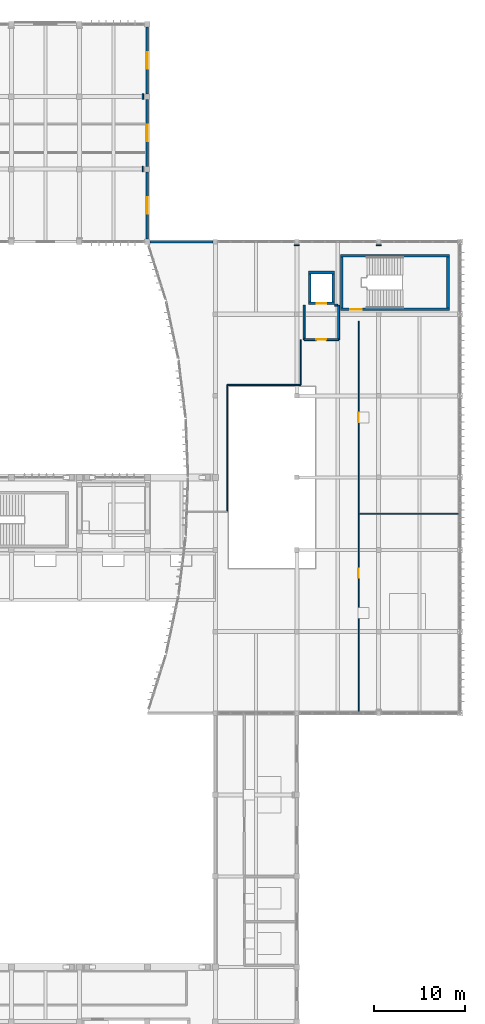
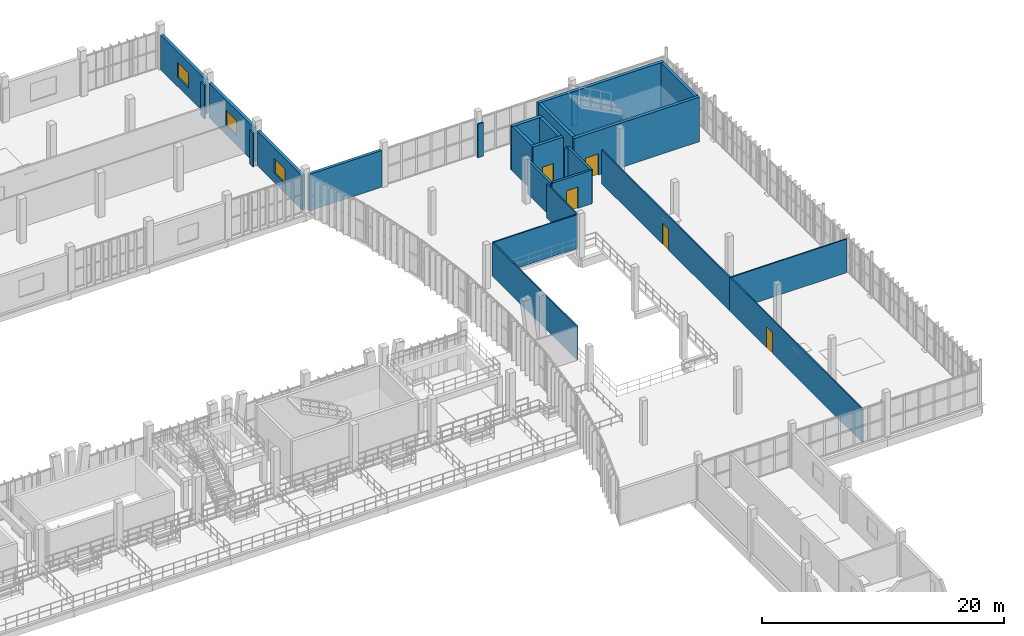
# One storey, part 59 of 81: 26 walls, 5 doors, 3 windows, 8 openings.
"""IFC4 building model written with IfcOpenShell, lengths in metres."""

from ifc_helpers import new_model, si_unit, direction, frame, frame_2d, origin, place, context, subcontext, project, spatial, rectangle, extrude, material, layer, layer_set, type_object, element, fill, save


model = new_model("IFC4")

# Units and contexts
model_context = context("Model", 3, precision=1e-05, world=origin(), true_north=direction((0.0, 1.0)))
body_context = subcontext(model_context, "Body", "Model", "MODEL_VIEW")
ifc_project = project(units=[si_unit("LENGTHUNIT", "METRE"), si_unit("AREAUNIT", "SQUARE_METRE"), si_unit("VOLUMEUNIT", "CUBIC_METRE"), si_unit("PLANEANGLEUNIT", "RADIAN"), si_unit("MASSUNIT", "GRAM", prefix="KILO")], contexts=[model_context])

# Site, building, storey
site_placement = place(None, origin())
site = spatial("IfcSite", under=ifc_project, at=site_placement, CompositionType="ELEMENT")
building_placement = place(site_placement, origin())
building = spatial("IfcBuilding", under=site, at=building_placement, Name="Vourika Railside Aquatics Centre", CompositionType="ELEMENT")
storey_placement = place(building_placement, frame((0.0, 0.0, 4.800048828125)))
storey = spatial("IfcBuildingStorey", under=building, at=storey_placement, Name="L01", CompositionType="ELEMENT", Elevation=4.800048828125)

# Wall, opening, door
ifc_material_1 = material(Name="Concrete C40/50", Category="concrete")
ifc_layer_1 = layer(ifc_material_1, 0.300048828125, Name="WL-CORE")
ifc_layer_set_1 = layer_set([ifc_layer_1], Name="Concrete C40/50")
wall_type_1 = type_object("IfcWallType", Name="WL-CORE", PredefinedType="SHEAR", material=ifc_layer_set_1)
wall_1_placement = place(storey_placement, frame((154.800048828125, 84.550048828125, 0.0), z_axis=(0.0, 0.0, 1.0), x_axis=(1.0, 0.0, 0.0)))
wall_1 = element("IfcWall", 1, at=wall_1_placement, inside=storey, type_object=wall_type_1, Name="Protected Exit Stair Core ST05 South Wall (L01)", PredefinedType="SHEAR", context=body_context, shape_type="SweptSolid", body=[
    extrude(rectangle(XDim=12.0, YDim=0.300048828125, at=frame_2d((6.0, 0.0))), origin(), (0.0, 0.0, 1.0), 4.5),
])
opening_1_placement = place(wall_1_placement, frame((1.10009765625, 0.0, 0.0)))
opening_1 = element("IfcOpeningElement", 2, at=opening_1_placement, cuts=wall_1, Name="Opening DF02", PredefinedType="OPENING", context=body_context, shape_type="SweptSolid", body=[
    extrude(rectangle(XDim=1.25, YDim=2.14990234375, at=frame_2d((0.625, 1.074951171875))), frame((0.0, 0.16015625, 0.0), z_axis=(0.0, -1.0, 0.0), x_axis=(1.0, 0.0, 0.0)), (0.0, 0.0, 1.0), 0.320068359375),
])
ifc_material_2 = material(Name="Fire-rated wide exit stair door")
door_type_1 = type_object("IfcDoorType", Name="DR-FD60-125", OperationType="NOTDEFINED", PredefinedType="DOOR", material=ifc_material_2)
door_1_placement = place(opening_1_placement, origin())
door_1 = element("IfcDoor", 3, at=door_1_placement, inside=storey, type_object=door_type_1, Name="Protected Exit Stair Core ST05 Enclosure Fire Door (L01)", OperationType="SINGLE_SWING_RIGHT", OverallHeight=2.14990234375, OverallWidth=1.25, PredefinedType="DOOR", context=body_context, shape_type="SweptSolid", body=[
    extrude(rectangle(XDim=1.25, YDim=2.14990234375, at=frame_2d((0.625, 1.074951171875))), frame((0.0, 0.02490234375, 0.0), z_axis=(0.0, -1.0, 0.0), x_axis=(1.0, 0.0, 0.0)), (0.0, 0.0, 1.0), 0.050048828125),
])
fill(opening_1, door_1)

# Walls
wall_2_placement = place(storey_placement, frame((166.800048828125, 90.449951171875, 0.0), z_axis=(0.0, 0.0, 1.0), x_axis=(-1.0, 0.0, 0.0)))
element("IfcWall", 4, at=wall_2_placement, inside=storey, type_object=wall_type_1, Name="Protected Exit Stair Core ST05 North Wall (L01)", PredefinedType="SHEAR", context=body_context, shape_type="SweptSolid", body=[
    extrude(rectangle(XDim=12.0, YDim=0.300048828125, at=frame_2d((6.0, 0.0))), origin(), (0.0, 0.0, 1.0), 4.5),
])
for number, where, z_axis, x_axis, name in (
    (5, (154.949951171875, 90.300048828125, 0.0), (0.0, 0.0, 1.0), (0.0, -1.0, 0.0), "Protected Exit Stair Core ST05 West Wall (L01)"),
    (6, (166.64990234375, 84.699951171875, 0.0), (0.0, 0.0, 1.0), (0.0, 1.0, 0.0), "Protected Exit Stair Core ST05 East Wall (L01)"),
):
    element("IfcWall", number, at=place(storey_placement, frame(where, z_axis=z_axis, x_axis=x_axis)), inside=storey, type_object=wall_type_1, Name=name, PredefinedType="SHEAR", context=body_context, shape_type="SweptSolid", body=[
        extrude(rectangle(XDim=5.60009765625, YDim=0.300048828125, at=frame_2d((2.800048828125, 0.0))), origin(), (0.0, 0.0, 1.0), 4.5),
    ])

# Wall, opening, door
wall_3_placement = place(storey_placement, frame((151.25, 85.199951171875, 0.0), z_axis=(0.0, 0.0, 1.0), x_axis=(1.0, 0.0, 0.0)))
wall_3 = element("IfcWall", 7, at=wall_3_placement, inside=storey, type_object=wall_type_1, Name="Lift LP01 Shaft South Wall (L01)", PredefinedType="SHEAR", context=body_context, shape_type="SweptSolid", body=[
    extrude(rectangle(XDim=2.89990234375, YDim=0.300048828125, at=frame_2d((1.449951171875, 0.0))), origin(), (0.0, 0.0, 1.0), 4.5),
])
opening_2_placement = place(wall_3_placement, frame((0.925048828125, 0.0, 0.0)))
opening_2 = element("IfcOpeningElement", 8, at=opening_2_placement, cuts=wall_3, Name="Opening LD02", PredefinedType="OPENING", context=body_context, shape_type="SweptSolid", body=[
    extrude(rectangle(XDim=1.050048828125, YDim=2.14990234375, at=frame_2d((0.52490234375, 1.074951171875))), frame((0.0, 0.16015625, 0.0), z_axis=(0.0, -1.0, 0.0), x_axis=(1.0, 0.0, 0.0)), (0.0, 0.0, 1.0), 0.320068359375),
])
ifc_material_3 = material(Name="Stainless passenger lift landing door")
door_type_2 = type_object("IfcDoorType", Name="DR-LIFT-LD2", OperationType="DOUBLE_DOOR_SLIDING", PredefinedType="DOOR", material=ifc_material_3)
door_2_placement = place(opening_2_placement, origin())
door_2 = element("IfcDoor", 9, at=door_2_placement, inside=storey, type_object=door_type_2, Name="Lift LP01 Sliding Landing Door (L01)", OperationType="DOUBLE_DOOR_SLIDING", OverallHeight=2.14990234375, OverallWidth=1.050048828125, PredefinedType="DOOR", context=body_context, shape_type="SweptSolid", body=[
    extrude(rectangle(XDim=1.050048828125, YDim=2.14990234375, at=frame_2d((0.52490234375, 1.074951171875))), frame((0.0, 0.02490234375, 0.0), z_axis=(0.0, -1.0, 0.0), x_axis=(1.0, 0.0, 0.0)), (0.0, 0.0, 1.0), 0.050048828125),
])
fill(opening_2, door_2)

# Walls
wall_4_placement = place(storey_placement, frame((154.14990234375, 88.60009765625, 0.0), z_axis=(0.0, 0.0, 1.0), x_axis=(-1.0, 0.0, 0.0)))
element("IfcWall", 10, at=wall_4_placement, inside=storey, type_object=wall_type_1, Name="Lift LP01 Shaft North Wall (L01)", PredefinedType="SHEAR", context=body_context, shape_type="SweptSolid", body=[
    extrude(rectangle(XDim=2.89990234375, YDim=0.300048828125, at=frame_2d((1.449951171875, 0.0))), origin(), (0.0, 0.0, 1.0), 4.5),
])
for number, where, z_axis, x_axis, name in (
    (11, (151.39990234375, 88.60009765625, 0.0), (0.0, 0.0, 1.0), (0.0, -1.0, 0.0), "Lift LP01 Shaft West Wall (L01)"),
    (12, (154.0, 85.199951171875, 0.0), (0.0, 0.0, 1.0), (0.0, 1.0, 0.0), "Lift LP01 Shaft East Wall (L01)"),
):
    element("IfcWall", number, at=place(storey_placement, frame(where, z_axis=z_axis, x_axis=x_axis)), inside=storey, type_object=wall_type_1, Name=name, PredefinedType="SHEAR", context=body_context, shape_type="SweptSolid", body=[
        extrude(rectangle(XDim=3.400146484375, YDim=0.300048828125, at=frame_2d((1.7001953125, 0.0))), origin(), (0.0, 0.0, 1.0), 4.5),
    ])
ifc_material_4 = material(Name="Precast concrete C40/50", Category="concrete")
ifc_layer_2 = layer(ifc_material_4, 0.27001953125, Name="WL-EXT-270")
ifc_layer_set_2 = layer_set([ifc_layer_2], Name="Precast concrete C40/50")
wall_type_2 = type_object("IfcWallType", Name="WL-EXT-270", PredefinedType="SOLIDWALL", material=ifc_layer_set_2)
wall_5_placement = place(storey_placement, frame((140.75, 92.0, 0.0), z_axis=(0.0, 0.0, 1.0), x_axis=(-1.0, 0.0, 0.0)))
element("IfcWall", 13, at=wall_5_placement, inside=storey, type_object=wall_type_2, Name="Foyer North Return Wall L01", PredefinedType="SOLIDWALL", context=body_context, shape_type="SweptSolid", body=[
    extrude(rectangle(XDim=6.949951171875, YDim=0.27001953125, at=frame_2d((3.47509765625, 0.0))), origin(), (0.0, 0.0, 1.0), 3.699951171875),
])

# Wall, opening, window
ifc_layer_3 = layer(ifc_material_4, 0.2900390625, Name="WL-EXT-290")
ifc_layer_set_3 = layer_set([ifc_layer_3], Name="Precast concrete C40/50")
wall_type_3 = type_object("IfcWallType", Name="WL-EXT-290", PredefinedType="SOLIDWALL", material=ifc_layer_set_3)
wall_6_placement = place(storey_placement, frame((133.5, 92.300048828125, 0.0), z_axis=(0.0, 0.0, 1.0), x_axis=(0.0, 1.0, 0.0)))
wall_6 = element("IfcWall", 14, at=wall_6_placement, inside=storey, type_object=wall_type_3, Name="Fitness Step-Back East Wall L01-1", PredefinedType="SOLIDWALL", context=body_context, shape_type="SweptSolid", body=[
    extrude(rectangle(XDim=7.39990234375, YDim=0.2900390625, at=frame_2d((3.699951171875, 0.0))), origin(), (0.0, 0.0, 1.0), 3.5),
])
opening_3_placement = place(wall_6_placement, frame((2.800048828125, 0.0, 0.949951171875)))
opening_3 = element("IfcOpeningElement", 15, at=opening_3_placement, cuts=wall_6, Name="Opening W08", PredefinedType="OPENING", context=body_context, shape_type="SweptSolid", body=[
    extrude(rectangle(XDim=1.800048828125, YDim=1.5, at=frame_2d((0.89990234375, 0.75))), frame((0.0, 0.155029296875, 0.0), z_axis=(0.0, -1.0, 0.0), x_axis=(1.0, 0.0, 0.0)), (0.0, 0.0, 1.0), 0.31005859375),
])
ifc_material_5 = material(Name="Laminated solar-control glass", Category="glass")
window_type = type_object("IfcWindowType", Name="WN-CLN-180x150", PartitioningType="SINGLE_PANEL", PredefinedType="WINDOW", material=ifc_material_5)
window_1_placement = place(opening_3_placement, origin())
window_1 = element("IfcWindow", 16, at=window_1_placement, inside=storey, type_object=window_type, Name="Fitness East Window L01-1", OverallHeight=1.5, OverallWidth=1.800048828125, PartitioningType="SINGLE_PANEL", PredefinedType="WINDOW", context=body_context, shape_type="SweptSolid", body=[
    extrude(rectangle(XDim=1.800048828125, YDim=1.5, at=frame_2d((0.89990234375, 0.75))), frame((0.0, 0.030029296875, 0.0), z_axis=(0.0, -1.0, 0.0), x_axis=(1.0, 0.0, 0.0)), (0.0, 0.0, 1.0), 0.06005859375),
])
fill(opening_3, window_1)

wall_7_placement = place(storey_placement, frame((133.5, 100.300048828125, 0.0), z_axis=(0.0, 0.0, 1.0), x_axis=(0.0, 1.0, 0.0)))
wall_7 = element("IfcWall", 17, at=wall_7_placement, inside=storey, type_object=wall_type_3, Name="Fitness Step-Back East Wall L01-2", PredefinedType="SOLIDWALL", context=body_context, shape_type="SweptSolid", body=[
    extrude(rectangle(XDim=7.39990234375, YDim=0.2900390625, at=frame_2d((3.699951171875, 0.0))), origin(), (0.0, 0.0, 1.0), 3.5),
])
opening_4_placement = place(wall_7_placement, frame((2.800048828125, 0.0, 0.949951171875)))
opening_4 = element("IfcOpeningElement", 18, at=opening_4_placement, cuts=wall_7, Name="Opening W08", PredefinedType="OPENING", context=body_context, shape_type="SweptSolid", body=[
    extrude(rectangle(XDim=1.800048828125, YDim=1.5, at=frame_2d((0.89990234375, 0.75))), frame((0.0, 0.155029296875, 0.0), z_axis=(0.0, -1.0, 0.0), x_axis=(1.0, 0.0, 0.0)), (0.0, 0.0, 1.0), 0.31005859375),
])
window_2_placement = place(opening_4_placement, origin())
window_2 = element("IfcWindow", 19, at=window_2_placement, inside=storey, type_object=window_type, Name="Fitness East Window L01-2", OverallHeight=1.5, OverallWidth=1.800048828125, PartitioningType="SINGLE_PANEL", PredefinedType="WINDOW", context=body_context, shape_type="SweptSolid", body=[
    extrude(rectangle(XDim=1.800048828125, YDim=1.5, at=frame_2d((0.89990234375, 0.75))), frame((0.0, 0.030029296875, 0.0), z_axis=(0.0, -1.0, 0.0), x_axis=(1.0, 0.0, 0.0)), (0.0, 0.0, 1.0), 0.06005859375),
])
fill(opening_4, window_2)

wall_8_placement = place(storey_placement, frame((133.5, 108.300048828125, 0.0), z_axis=(0.0, 0.0, 1.0), x_axis=(0.0, 1.0, 0.0)))
wall_8 = element("IfcWall", 20, at=wall_8_placement, inside=storey, type_object=wall_type_3, Name="Fitness Step-Back East Wall L01-3", PredefinedType="SOLIDWALL", context=body_context, shape_type="SweptSolid", body=[
    extrude(rectangle(XDim=7.39990234375, YDim=0.2900390625, at=frame_2d((3.699951171875, 0.0))), origin(), (0.0, 0.0, 1.0), 3.5),
])
opening_5_placement = place(wall_8_placement, frame((2.800048828125, 0.0, 0.949951171875)))
opening_5 = element("IfcOpeningElement", 21, at=opening_5_placement, cuts=wall_8, Name="Opening W08", PredefinedType="OPENING", context=body_context, shape_type="SweptSolid", body=[
    extrude(rectangle(XDim=1.800048828125, YDim=1.5, at=frame_2d((0.89990234375, 0.75))), frame((0.0, 0.155029296875, 0.0), z_axis=(0.0, -1.0, 0.0), x_axis=(1.0, 0.0, 0.0)), (0.0, 0.0, 1.0), 0.31005859375),
])
window_3_placement = place(opening_5_placement, origin())
window_3 = element("IfcWindow", 22, at=window_3_placement, inside=storey, type_object=window_type, Name="Fitness East Window L01-3", OverallHeight=1.5, OverallWidth=1.800048828125, PartitioningType="SINGLE_PANEL", PredefinedType="WINDOW", context=body_context, shape_type="SweptSolid", body=[
    extrude(rectangle(XDim=1.800048828125, YDim=1.5, at=frame_2d((0.89990234375, 0.75))), frame((0.0, 0.030029296875, 0.0), z_axis=(0.0, -1.0, 0.0), x_axis=(1.0, 0.0, 0.0)), (0.0, 0.0, 1.0), 0.06005859375),
])
fill(opening_5, window_3)

# Wall, opening, door
ifc_material_6 = material(Name="Concrete C35/45", Category="concrete")
ifc_layer_4 = layer(ifc_material_6, 0.219970703125, Name="WL-FIRE")
ifc_layer_set_4 = layer_set([ifc_layer_4], Name="Concrete C35/45")
wall_type_4 = type_object("IfcWallType", Name="WL-FIRE", PredefinedType="SOLIDWALL", material=ifc_layer_set_4)
wall_9_placement = place(storey_placement, frame((150.800048828125, 81.199951171875, 0.0), z_axis=(0.0, 0.0, 1.0), x_axis=(1.0, 0.0, 0.0)))
wall_9 = element("IfcWall", 23, at=wall_9_placement, inside=storey, type_object=wall_type_4, Name="Lift LP01 Lobby Corridor Fire Wall (L01)", PredefinedType="SOLIDWALL", context=body_context, shape_type="SweptSolid", body=[
    extrude(rectangle(XDim=3.800048828125, YDim=0.219970703125, at=frame_2d((1.89990234375, 0.0))), origin(), (0.0, 0.0, 1.0), 3.39990234375),
])
opening_6_placement = place(wall_9_placement, frame((1.35009765625, 0.0, 0.0)))
opening_6 = element("IfcOpeningElement", 24, at=opening_6_placement, cuts=wall_9, Name="Opening DF01", PredefinedType="OPENING", context=body_context, shape_type="SweptSolid", body=[
    extrude(rectangle(XDim=1.10009765625, YDim=2.14990234375, at=frame_2d((0.550048828125, 1.074951171875))), frame((0.0, 0.1201171875, 0.0), z_axis=(0.0, -1.0, 0.0), x_axis=(1.0, 0.0, 0.0)), (0.0, 0.0, 1.0), 0.239990234375),
])
ifc_material_7 = material(Name="Fire-rated steel and timber core door", Category="steel")
door_type_3 = type_object("IfcDoorType", Name="DR-FD60", OperationType="NOTDEFINED", PredefinedType="DOOR", material=ifc_material_7)
door_3_placement = place(opening_6_placement, origin())
door_3 = element("IfcDoor", 25, at=door_3_placement, inside=storey, type_object=door_type_3, Name="Lift LP01 Lobby Fire Door (L01)", OperationType="SINGLE_SWING_RIGHT", OverallHeight=2.14990234375, OverallWidth=1.10009765625, PredefinedType="DOOR", context=body_context, shape_type="SweptSolid", body=[
    extrude(rectangle(XDim=1.10009765625, YDim=2.14990234375, at=frame_2d((0.550048828125, 1.074951171875))), frame((0.0, 0.02490234375, 0.0), z_axis=(0.0, -1.0, 0.0), x_axis=(1.0, 0.0, 0.0)), (0.0, 0.0, 1.0), 0.050048828125),
])
fill(opening_6, door_3)

# Walls
for number, where, z_axis, x_axis, name in (
    (26, (150.800048828125, 81.199951171875, 0.0), (0.0, 0.0, 1.0), (0.0, 1.0, 0.0), "Lift LP01 Lobby West Fire Wall (L01)"),
    (27, (154.60009765625, 81.199951171875, 0.0), (0.0, 0.0, 1.0), (0.0, 1.0, 0.0), "Lift LP01 Lobby East Fire Wall (L01)"),
):
    element("IfcWall", number, at=place(storey_placement, frame(where, z_axis=z_axis, x_axis=x_axis)), inside=storey, type_object=wall_type_4, Name=name, PredefinedType="SOLIDWALL", context=body_context, shape_type="SweptSolid", body=[
        extrude(rectangle(XDim=3.800048828125, YDim=0.219970703125, at=frame_2d((1.89990234375, 0.0))), origin(), (0.0, 0.0, 1.0), 3.39990234375),
    ])
wall_10_placement = place(storey_placement, frame((154.14990234375, 85.0, 0.0), z_axis=(0.0, 0.0, 1.0), x_axis=(1.0, 0.0, 0.0)))
element("IfcWall", 28, at=wall_10_placement, inside=storey, type_object=wall_type_4, Name="Lift LP01 Lobby North-East Closure Wall (L01)", PredefinedType="SOLIDWALL", context=body_context, shape_type="SweptSolid", body=[
    extrude(rectangle(XDim=0.330078125, YDim=0.219970703125, at=frame_2d((0.1650390625, 0.0))), origin(), (0.0, 0.0, 1.0), 3.39990234375),
])

# Wall, opening, door
ifc_material_8 = material(Name="Lightweight drylining partition")
ifc_layer_5 = layer(ifc_material_8, 0.1201171875, Name="WL-PART-120")
ifc_layer_set_5 = layer_set([ifc_layer_5], Name="Lightweight drylining partition")
wall_type_5 = type_object("IfcWallType", Name="WL-PART-120", PredefinedType="PARTITIONING", material=ifc_layer_set_5)
wall_11_placement = place(storey_placement, frame((156.800048828125, 40.071044921875, 0.0), z_axis=(0.0, 0.0, 1.0), x_axis=(0.0, 1.0, 0.0)))
wall_11 = element("IfcWall", 29, at=wall_11_placement, inside=storey, type_object=wall_type_5, Name="Aquatic Heritage Exhibition Gallery Partition 1", PredefinedType="PARTITIONING", context=body_context, shape_type="SweptSolid", body=[
    extrude(rectangle(XDim=21.928955078125, YDim=0.1201171875, at=frame_2d((10.96435546875, 0.0))), origin(), (0.0, 0.0, 1.0), 3.39990234375),
])
opening_7_placement = place(wall_11_placement, frame((14.864501953125, 0.0, 0.0)))
opening_7 = element("IfcOpeningElement", 30, at=opening_7_placement, cuts=wall_11, Name="Opening DI01", PredefinedType="OPENING", context=body_context, shape_type="SweptSolid", body=[
    extrude(rectangle(XDim=1.0, YDim=2.10009765625, at=frame_2d((0.5, 1.050048828125))), frame((0.0, 0.070068359375, 0.0), z_axis=(0.0, -1.0, 0.0), x_axis=(1.0, 0.0, 0.0)), (0.0, 0.0, 1.0), 0.14013671875),
])
ifc_material_9 = material(Name="Anodized aluminium and laminate door", Category="aluminium")
door_type_4 = type_object("IfcDoorType", Name="DR-INT-1000", OperationType="NOTDEFINED", PredefinedType="DOOR", material=ifc_material_9)
door_4_placement = place(opening_7_placement, origin())
door_4 = element("IfcDoor", 31, at=door_4_placement, inside=storey, type_object=door_type_4, Name="Aquatic Heritage Exhibition Gallery Door", OperationType="SINGLE_SWING_RIGHT", OverallHeight=2.10009765625, OverallWidth=1.0, PredefinedType="DOOR", context=body_context, shape_type="SweptSolid", body=[
    extrude(rectangle(XDim=1.0, YDim=2.10009765625, at=frame_2d((0.5, 1.050048828125))), frame((0.0, 0.02490234375, 0.0), z_axis=(0.0, -1.0, 0.0), x_axis=(1.0, 0.0, 0.0)), (0.0, 0.0, 1.0), 0.050048828125),
])
fill(opening_7, door_4)

# Wall
wall_12_placement = place(storey_placement, frame((156.800048828125, 62.0, 0.0), z_axis=(0.0, 0.0, 1.0), x_axis=(1.0, 0.0, 0.0)))
element("IfcWall", 32, at=wall_12_placement, inside=storey, type_object=wall_type_5, Name="Aquatic Heritage Exhibition Gallery Partition 3", PredefinedType="PARTITIONING", context=body_context, shape_type="SweptSolid", body=[
    extrude(rectangle(XDim=11.119873046875, YDim=0.1201171875, at=frame_2d((5.56005859375, 0.0))), origin(), (0.0, 0.0, 1.0), 3.39990234375),
])

# Wall, opening, door
wall_13_placement = place(storey_placement, frame((156.800048828125, 62.0400390625, 0.0), z_axis=(0.0, 0.0, 1.0), x_axis=(0.0, 1.0, 0.0)))
wall_13 = element("IfcWall", 33, at=wall_13_placement, inside=storey, type_object=wall_type_5, Name="VIP Hospitality Lounge and Terrace Bar Partition 1", PredefinedType="PARTITIONING", context=body_context, shape_type="SweptSolid", body=[
    extrude(rectangle(XDim=21.18896484375, YDim=0.1201171875, at=frame_2d((10.594482421875, 0.0))), origin(), (0.0, 0.0, 1.0), 3.39990234375),
])
opening_8_placement = place(wall_13_placement, frame((10.094482421875, 0.0, 0.0)))
opening_8 = element("IfcOpeningElement", 34, at=opening_8_placement, cuts=wall_13, Name="Opening DI01", PredefinedType="OPENING", context=body_context, shape_type="SweptSolid", body=[
    extrude(rectangle(XDim=1.0, YDim=2.10009765625, at=frame_2d((0.5, 1.050048828125))), frame((0.0, 0.070068359375, 0.0), z_axis=(0.0, -1.0, 0.0), x_axis=(1.0, 0.0, 0.0)), (0.0, 0.0, 1.0), 0.14013671875),
])
door_5_placement = place(opening_8_placement, origin())
door_5 = element("IfcDoor", 35, at=door_5_placement, inside=storey, type_object=door_type_4, Name="VIP Hospitality Lounge and Terrace Bar Door", OperationType="SINGLE_SWING_LEFT", OverallHeight=2.10009765625, OverallWidth=1.0, PredefinedType="DOOR", context=body_context, shape_type="SweptSolid", body=[
    extrude(rectangle(XDim=1.0, YDim=2.10009765625, at=frame_2d((0.5, 1.050048828125))), frame((0.0, 0.02490234375, 0.0), z_axis=(0.0, -1.0, 0.0), x_axis=(1.0, 0.0, 0.0)), (0.0, 0.0, 1.0), 0.050048828125),
])
fill(opening_8, door_5)

# Walls
wall_14_placement = place(storey_placement, frame((150.39990234375, 81.199951171875, 0.0), z_axis=(0.0, 0.0, 1.0), x_axis=(0.0, -1.0, 0.0)))
element("IfcWall", 36, at=wall_14_placement, inside=storey, type_object=wall_type_5, Name="VIP Hospitality Lounge and Terrace Bar Partition 2", PredefinedType="PARTITIONING", context=body_context, shape_type="SweptSolid", body=[
    extrude(rectangle(XDim=5.0, YDim=0.1201171875, at=frame_2d((2.5, 0.0))), origin(), (0.0, 0.0, 1.0), 3.39990234375),
])
wall_15_placement = place(storey_placement, frame((150.39990234375, 76.199951171875, 0.0), z_axis=(0.0, 0.0, 1.0), x_axis=(-1.0, 0.0, 0.0)))
element("IfcWall", 37, at=wall_15_placement, inside=storey, type_object=wall_type_5, Name="VIP Hospitality Lounge and Terrace Bar Partition 4", PredefinedType="PARTITIONING", context=body_context, shape_type="SweptSolid", body=[
    extrude(rectangle(XDim=8.099853515625, YDim=0.1201171875, at=frame_2d((4.0498046875, 0.0))), origin(), (0.0, 0.0, 1.0), 3.39990234375),
])
wall_16_placement = place(storey_placement, frame((142.300048828125, 76.199951171875, 0.0), z_axis=(0.0, 0.0, 1.0), x_axis=(0.0, -1.0, 0.0)))
element("IfcWall", 38, at=wall_16_placement, inside=storey, type_object=wall_type_5, Name="VIP Hospitality Lounge and Terrace Bar Partition 6", PredefinedType="PARTITIONING", context=body_context, shape_type="SweptSolid", body=[
    extrude(rectangle(XDim=14.0, YDim=0.1201171875, at=frame_2d((7.0, 0.0))), origin(), (0.0, 0.0, 1.0), 3.39990234375),
])
for number, where, z_axis, x_axis, name in (
    (39, (149.719970703125, 91.60009765625, 0.0), (0.0, 0.0, 1.0), (1.0, 0.0, 0.0), "VIP Hospitality Lounge and Terrace Bar Partition 7"),
    (40, (158.719970703125, 91.60009765625, 0.0), (0.0, 0.0, 1.0), (1.0, 0.0, 0.0), "VIP Hospitality Lounge and Terrace Bar Partition 8"),
):
    element("IfcWall", number, at=place(storey_placement, frame(where, z_axis=z_axis, x_axis=x_axis)), inside=storey, type_object=wall_type_5, Name=name, PredefinedType="PARTITIONING", context=body_context, shape_type="SweptSolid", body=[
        extrude(rectangle(XDim=0.56005859375, YDim=0.1201171875, at=frame_2d((0.280029296875, 0.0))), origin(), (0.0, 0.0, 1.0), 3.39990234375),
    ])
wall_17_placement = place(storey_placement, frame((133.0, 100.300048828125, 0.0), z_axis=(0.0, 0.0, 1.0), x_axis=(0.0, -1.0, 0.0)))
element("IfcWall", 41, at=wall_17_placement, inside=storey, type_object=wall_type_5, Name="Cardio Fitness Hall Partition 2", PredefinedType="PARTITIONING", context=body_context, shape_type="SweptSolid", body=[
    extrude(rectangle(XDim=0.60009765625, YDim=0.1201171875, at=frame_2d((0.300048828125, 0.0))), origin(), (0.0, 0.0, 1.0), 3.39990234375),
])
ifc_material_10 = material(Name="Acoustic twin-stud partition")
ifc_layer_6 = layer(ifc_material_10, 0.159912109375, Name="WL-PART-160")
ifc_layer_set_6 = layer_set([ifc_layer_6], Name="Acoustic twin-stud partition")
wall_type_6 = type_object("IfcWallType", Name="WL-PART-160", PredefinedType="PARTITIONING", material=ifc_layer_set_6)
wall_18_placement = place(storey_placement, frame((133.0, 108.300048828125, 0.0), z_axis=(0.0, 0.0, 1.0), x_axis=(0.0, -1.0, 0.0)))
element("IfcWall", 42, at=wall_18_placement, inside=storey, type_object=wall_type_6, Name="Aerobics and Dance Movement Studio Partition 2", PredefinedType="PARTITIONING", context=body_context, shape_type="SweptSolid", body=[
    extrude(rectangle(XDim=0.60009765625, YDim=0.159912109375, at=frame_2d((0.300048828125, 0.0))), origin(), (0.0, 0.0, 1.0), 3.39990234375),
])

save(model, "model.ifc")
